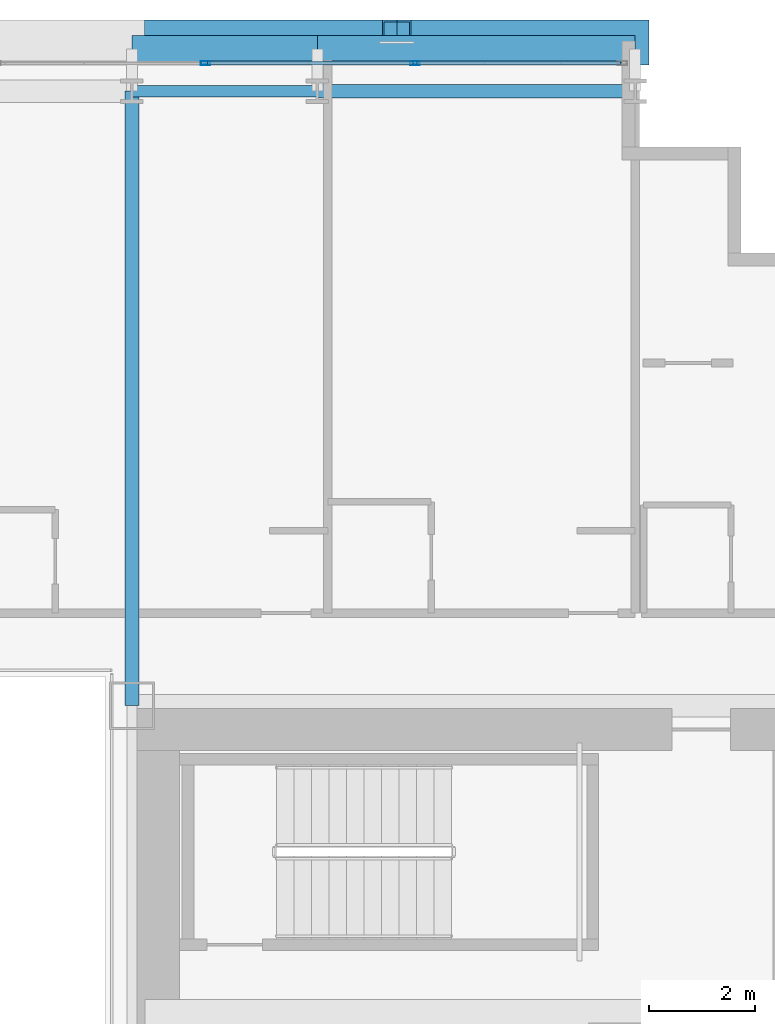
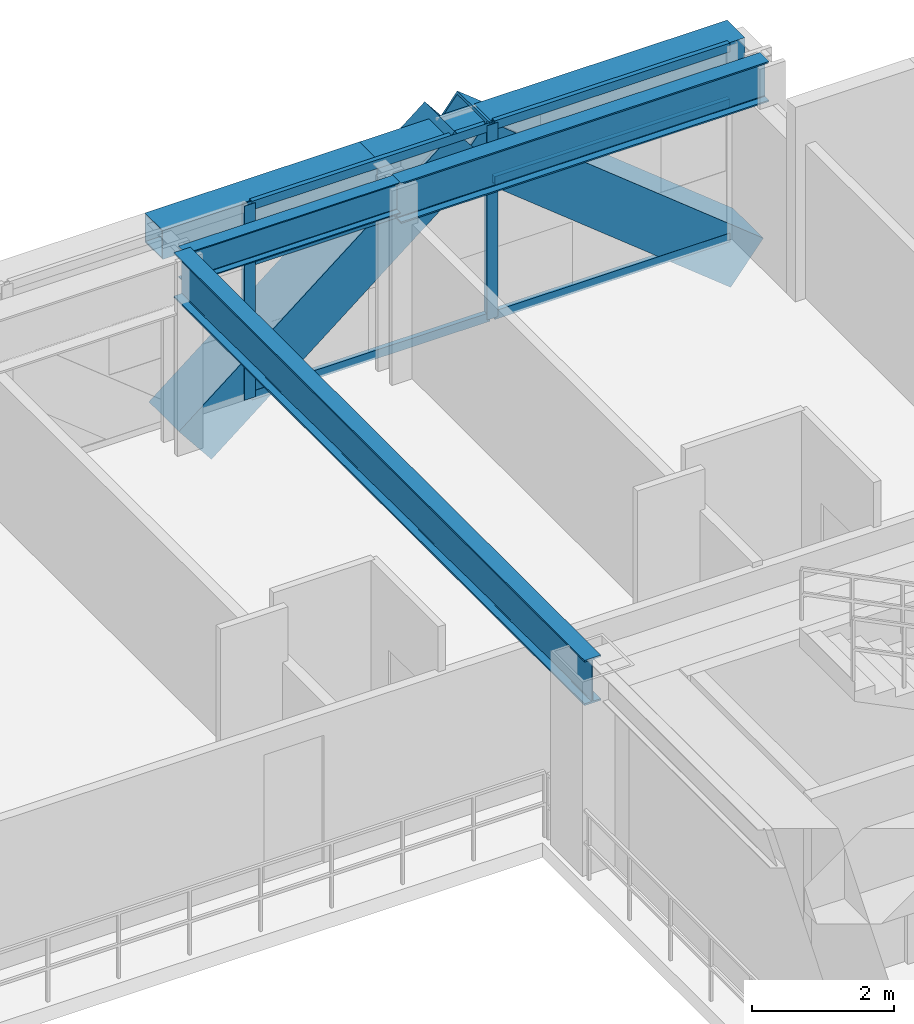
# One storey, part 21 of 35: 10 members, 5 beams, 1 element without a shape of its own.
"""IFC4 building model written with IfcOpenShell, lengths in metres."""

from ifc_helpers import new_model, si_unit, direction, frame, origin, origin_2d, place, context, subcontext, project, spatial, hollow_rectangle, i_section, extrude, source, transform, mapped, material, layer, layer_set, material_profile, profile_set, type_object, element, aggregate, save


model = new_model("IFC4")

# Units and contexts
model_context = context("Model", 3, precision=1e-05, world=origin(), true_north=direction((0.0, 1.0)))
body_context = subcontext(model_context, "Body", "Model", "MODEL_VIEW")
ifc_project = project(units=[si_unit("LENGTHUNIT", "METRE"), si_unit("AREAUNIT", "SQUARE_METRE"), si_unit("VOLUMEUNIT", "CUBIC_METRE"), si_unit("PLANEANGLEUNIT", "RADIAN"), si_unit("MASSUNIT", "GRAM", prefix="KILO")], contexts=[model_context])

# Site, building, storey
site_placement = place(None, origin())
site = spatial("IfcSite", under=ifc_project, at=site_placement, CompositionType="ELEMENT")
building_placement = place(site_placement, origin())
building = spatial("IfcBuilding", under=site, at=building_placement, Name="Ocotamira Hotel", CompositionType="ELEMENT")
storey_placement = place(building_placement, frame((0.0, 0.0, 63.60009765625)))
storey = spatial("IfcBuildingStorey", under=building, at=storey_placement, Name="L15", CompositionType="ELEMENT", Elevation=63.60009765625)

# Beams
ifc_material_1 = material(Name="Steel ASTM A992 Grade 50", Category="steel")
ifc_material_profile_1 = material_profile(ifc_material_1, i_section(OverallWidth=0.256103515625, OverallDepth=0.693115234375, WebThickness=0.014404296875, FlangeThickness=0.023681640625, FilletRadius=0.01611328125, at=origin_2d()), Name="W27X114")
ifc_profile_set_1 = profile_set([ifc_material_profile_1], Name="Steel ASTM A992 Grade 50")
beam_type_1 = type_object("IfcBeamType", Name="BM-PRIM-W27X114", PredefinedType="BEAM", material=ifc_profile_set_1)
shared_shape_1 = source(origin(), body_context, "Body", "SweptSolid", [
    extrude(i_section(OverallWidth=0.256103515625, OverallDepth=0.693115234375, WebThickness=0.014404296875, FlangeThickness=0.023681640625, FilletRadius=0.01611328125, at=origin_2d()), origin(), (0.0, 0.0, 1.0), 6.0),
])
beam_1_placement = place(storey_placement, frame((44.0, 49.050048828125, 3.00341796875), z_axis=(1.0, 0.0, 0.0), x_axis=(0.0, 1.0, 0.0)))
element("IfcBeam", 1, at=beam_1_placement, inside=storey, type_object=beam_type_1, Name="L15 Girder Y49.05 X44-50", PredefinedType="BEAM", context=body_context, shape_type="MappedRepresentation", body=[
    mapped(shared_shape_1, transform((0.0, 0.0, 0.0), scale=1.0)),
])
ifc_material_profile_2 = material_profile(ifc_material_1, i_section(OverallWidth=0.2099609375, OverallDepth=0.537109375, WebThickness=0.010986328125, FlangeThickness=0.017333984375, FilletRadius=0.012939453125, at=origin_2d()), Name="W21X68")
ifc_profile_set_2 = profile_set([ifc_material_profile_2], Name="Steel ASTM A992 Grade 50")
beam_type_2 = type_object("IfcBeamType", Name="BM-SEC-W21X68", PredefinedType="JOIST", material=ifc_profile_set_2)
shared_shape_2 = source(origin(), body_context, "Body", "SweptSolid", [
    extrude(i_section(OverallWidth=0.2099609375, OverallDepth=0.537109375, WebThickness=0.010986328125, FlangeThickness=0.017333984375, FilletRadius=0.012939453125, at=origin_2d()), origin(), (0.0, 0.0, 1.0), 3.5),
])
beam_2_placement = place(storey_placement, frame((40.5, 49.050048828125, 3.081298828125), z_axis=(1.0, 0.0, 0.0), x_axis=(0.0, 1.0, 0.0)))
element("IfcBeam", 2, at=beam_2_placement, inside=storey, type_object=beam_type_2, Name="L15 Girder Y49.05 X40.5-44", PredefinedType="JOIST", context=body_context, shape_type="MappedRepresentation", body=[
    mapped(shared_shape_2, transform((0.0, 0.0, 0.0), scale=1.0)),
])
ifc_material_profile_3 = material_profile(ifc_material_1, i_section(OverallWidth=0.26611328125, OverallDepth=0.779052734375, WebThickness=0.0166015625, FlangeThickness=0.030029296875, FilletRadius=0.01806640625, at=origin_2d()), Name="W30X148")
ifc_profile_set_3 = profile_set([ifc_material_profile_3], Name="Steel ASTM A992 Grade 50")
beam_type_3 = type_object("IfcBeamType", Name="BM-GIRD-W30X148", PredefinedType="BEAM", material=ifc_profile_set_3)
shared_shape_3 = source(origin(), body_context, "Body", "SweptSolid", [
    extrude(i_section(OverallWidth=0.26611328125, OverallDepth=0.779052734375, WebThickness=0.0166015625, FlangeThickness=0.030029296875, FilletRadius=0.01806640625, at=origin_2d()), origin(), (0.0, 0.0, 1.0), 11.60009765625),
])
beam_3_placement = place(storey_placement, frame((40.5, 37.449951171875, 2.96044921875), z_axis=(0.0, 1.0, 0.0), x_axis=(-1.0, 0.0, 0.0)))
element("IfcBeam", 3, at=beam_3_placement, inside=storey, type_object=beam_type_3, Name="L15 Beam X40.5 Y37.45-49.05", PredefinedType="BEAM", context=body_context, shape_type="MappedRepresentation", body=[
    mapped(shared_shape_3, transform((0.0, 0.0, 0.0), scale=1.0)),
])
ifc_material_2 = material(Name="Steel ASTM A500 Grade C", Category="steel")
ifc_material_profile_4 = material_profile(ifc_material_2, hollow_rectangle(XDim=0.5, YDim=0.5, WallThickness=0.02001953125, at=origin_2d()), Name="HSS500X500X20")
ifc_profile_set_4 = profile_set([ifc_material_profile_4], Name="Steel ASTM A500 Grade C")
beam_type_4 = type_object("IfcBeamType", Name="BM-SPAN-HSS500", PredefinedType="USERDEFINED", material=ifc_profile_set_4)
shared_shape_4 = source(origin(), body_context, "Body", "SweptSolid", [
    extrude(hollow_rectangle(XDim=0.5, YDim=0.5, WallThickness=0.02001953125, at=origin_2d()), origin(), (0.0, 0.0, 1.0), 6.0),
])
beam_4_placement = place(storey_placement, frame((44.0, 49.85009765625, 3.099853515625), z_axis=(1.0, 0.0, 0.0), x_axis=(0.0, 1.0, 0.0)))
element("IfcBeam", 4, at=beam_4_placement, inside=storey, type_object=beam_type_4, Name="L15 Edge Spandrel N X44-50", ObjectType="SPANDREL", PredefinedType="USERDEFINED", context=body_context, shape_type="MappedRepresentation", body=[
    mapped(shared_shape_4, transform((0.0, 0.0, 0.0), scale=1.0)),
])
shared_shape_5 = source(origin(), body_context, "Body", "SweptSolid", [
    extrude(hollow_rectangle(XDim=0.5, YDim=0.5, WallThickness=0.02001953125, at=origin_2d()), origin(), (0.0, 0.0, 1.0), 3.5),
])
beam_5_placement = place(storey_placement, frame((40.5, 49.85009765625, 3.099853515625), z_axis=(1.0, 0.0, 0.0), x_axis=(0.0, 1.0, 0.0)))
element("IfcBeam", 5, at=beam_5_placement, inside=storey, type_object=beam_type_4, Name="L15 Edge Spandrel N X40.5-44", ObjectType="SPANDREL", PredefinedType="USERDEFINED", context=body_context, shape_type="MappedRepresentation", body=[
    mapped(shared_shape_5, transform((0.0, 0.0, 0.0), scale=1.0)),
])

# Members
ifc_material_3 = material(Name="Pale-metal coated steel ASTM A913 Grade 65", Category="steel")
ifc_material_profile_5 = material_profile(ifc_material_3, hollow_rectangle(XDim=0.85009765625, YDim=0.85009765625, WallThickness=0.035888671875, at=origin_2d()), Name="BOX850X850X36")
ifc_profile_set_5 = profile_set([ifc_material_profile_5], Name="Pale-metal coated steel ASTM A913 Grade 65")
member_type_1 = type_object("IfcMemberType", Name="MEM-EXO-BOX850", PredefinedType="BRACE", material=ifc_profile_set_5)
shared_shape_6 = source(origin(), body_context, "Body", "SweptSolid", [
    extrude(hollow_rectangle(XDim=0.85009765625, YDim=0.85009765625, WallThickness=0.035888671875, at=origin_2d()), origin(), (0.0, 0.0, 1.0), 5.7626953125),
])
for number, where, z_axis, x_axis, name in (
    (6, (41.0, 49.969970703125, -0.5), (0.780881208953, 0.0, 0.624679547852), (0.0, 1.0, 0.0), "L15 Exoskeleton Diagrid N3.1"),
    (7, (50.0, 49.969970703125, -0.5), (-0.780881208953, 0.0, 0.624679547852), (0.0, -1.0, 0.0), "L15 Exoskeleton Diagrid N3.2"),
):
    element("IfcMember", number, at=place(storey_placement, frame(where, z_axis=z_axis, x_axis=x_axis)), inside=storey, type_object=member_type_1, Name=name, PredefinedType="BRACE", context=body_context, shape_type="MappedRepresentation", body=[
        mapped(shared_shape_6, transform((0.0, 0.0, 0.0), scale=1.0)),
    ])

# Curtain wall, members
ifc_material_4 = material(Name="Anodised pale-metal aluminium and solar glass", Category="aluminium")
ifc_layer = layer(ifc_material_4, 0.179931640625)
ifc_layer_set = layer_set([ifc_layer], Name="Anodised pale-metal aluminium and solar glass")
curtain_wall_type = type_object("IfcCurtainWallType", Name="CW-SYS2-Z1", PredefinedType="NOTDEFINED", material=ifc_layer_set)
curtain_wall_placement = place(storey_placement, origin())
curtain_wall = element("IfcCurtainWall", 8, at=curtain_wall_placement, inside=storey, type_object=curtain_wall_type, Name="L15 Curtain Wall CW-2 CW-L15-N", PredefinedType="NOTDEFINED")
ifc_material_5 = material(Name="Anodised pale-metal aluminium 6063-T6", Category="aluminium")
ifc_material_profile_6 = material_profile(ifc_material_5, hollow_rectangle(XDim=0.080078125, YDim=0.179931640625, WallThickness=0.006103515625, at=origin_2d()), Name="HSS180X80X6")
ifc_profile_set_6 = profile_set([ifc_material_profile_6], Name="Anodised pale-metal aluminium 6063-T6")
member_type_2 = type_object("IfcMemberType", Name="CWM-180X75", PredefinedType="MULLION", material=ifc_profile_set_6)
shared_shape_7 = source(origin(), body_context, "Body", "SweptSolid", [
    extrude(hollow_rectangle(XDim=0.080078125, YDim=0.179931640625, WallThickness=0.006103515625, at=origin_2d()), origin(), (0.0, 0.0, 1.0), 3.349853515625),
])
member_1_placement = place(storey_placement, frame((41.888916015625, 49.580078125, 0.0), z_axis=(0.0, 0.0, 1.0), x_axis=(0.0, 1.0, 0.0)))
member_1 = element("IfcMember", 9, at=member_1_placement, type_object=member_type_2, Name="CW-2 mullion 8", PredefinedType="MULLION", context=body_context, shape_type="MappedRepresentation", body=[
    mapped(shared_shape_7, transform((0.0, 0.0, 0.0), scale=1.0)),
])
member_2_placement = place(storey_placement, frame((45.844482421875, 49.580078125, 0.0), z_axis=(0.0, 0.0, 1.0), x_axis=(0.0, 1.0, 0.0)))
member_2 = element("IfcMember", 10, at=member_2_placement, type_object=member_type_2, Name="CW-2 mullion 9", PredefinedType="MULLION", context=body_context, shape_type="MappedRepresentation", body=[
    mapped(shared_shape_7, transform((0.0, 0.0, 0.0), scale=1.0)),
])
ifc_material_profile_7 = material_profile(ifc_material_5, hollow_rectangle(XDim=0.074951171875, YDim=0.14990234375, WallThickness=0.006103515625, at=origin_2d()), Name="HSS150X75X6")
ifc_profile_set_7 = profile_set([ifc_material_profile_7], Name="Anodised pale-metal aluminium 6063-T6")
member_type_3 = type_object("IfcMemberType", Name="CWT-150X75", PredefinedType="USERDEFINED", material=ifc_profile_set_7)
shared_shape_8 = source(origin(), body_context, "Body", "SweptSolid", [
    extrude(hollow_rectangle(XDim=0.074951171875, YDim=0.14990234375, WallThickness=0.006103515625, at=origin_2d()), origin(), (0.0, 0.0, 1.0), 3.83544921875),
])
member_3_placement = place(storey_placement, frame((45.884521484375, 49.580078125, 0.037353515625), z_axis=(1.0, 0.0, 0.0), x_axis=(0.0, 1.0, 0.0)))
member_3 = element("IfcMember", 11, at=member_3_placement, type_object=member_type_3, Name="CW-2 transom 9.1", ObjectType="TRANSOM", PredefinedType="USERDEFINED", context=body_context, shape_type="MappedRepresentation", body=[
    mapped(shared_shape_8, transform((0.0, 0.0, 0.0), scale=1.0)),
])
member_4_placement = place(storey_placement, frame((45.884521484375, 49.580078125, 2.349853515625), z_axis=(1.0, 0.0, 0.0), x_axis=(0.0, 1.0, 0.0)))
member_4 = element("IfcMember", 12, at=member_4_placement, type_object=member_type_3, Name="CW-2 transom 9.2", ObjectType="TRANSOM", PredefinedType="USERDEFINED", context=body_context, shape_type="MappedRepresentation", body=[
    mapped(shared_shape_8, transform((0.0, 0.0, 0.0), scale=1.0)),
])
member_5_placement = place(storey_placement, frame((45.884521484375, 49.580078125, 3.3125), z_axis=(1.0, 0.0, 0.0), x_axis=(0.0, 1.0, 0.0)))
member_5 = element("IfcMember", 13, at=member_5_placement, type_object=member_type_3, Name="CW-2 transom 9.3", ObjectType="TRANSOM", PredefinedType="USERDEFINED", context=body_context, shape_type="MappedRepresentation", body=[
    mapped(shared_shape_8, transform((0.0, 0.0, 0.0), scale=1.0)),
])
shared_shape_9 = source(origin(), body_context, "Body", "SweptSolid", [
    extrude(hollow_rectangle(XDim=0.074951171875, YDim=0.14990234375, WallThickness=0.006103515625, at=origin_2d()), origin(), (0.0, 0.0, 1.0), 3.87548828125),
])
member_6_placement = place(storey_placement, frame((41.928955078125, 49.580078125, 0.037353515625), z_axis=(1.0, 0.0, 0.0), x_axis=(0.0, 1.0, 0.0)))
member_6 = element("IfcMember", 14, at=member_6_placement, type_object=member_type_3, Name="CW-2 transom 8.1", ObjectType="TRANSOM", PredefinedType="USERDEFINED", context=body_context, shape_type="MappedRepresentation", body=[
    mapped(shared_shape_9, transform((0.0, 0.0, 0.0), scale=1.0)),
])
member_7_placement = place(storey_placement, frame((41.928955078125, 49.580078125, 2.349853515625), z_axis=(1.0, 0.0, 0.0), x_axis=(0.0, 1.0, 0.0)))
member_7 = element("IfcMember", 15, at=member_7_placement, type_object=member_type_3, Name="CW-2 transom 8.2", ObjectType="TRANSOM", PredefinedType="USERDEFINED", context=body_context, shape_type="MappedRepresentation", body=[
    mapped(shared_shape_9, transform((0.0, 0.0, 0.0), scale=1.0)),
])
member_8_placement = place(storey_placement, frame((41.928955078125, 49.580078125, 3.3125), z_axis=(1.0, 0.0, 0.0), x_axis=(0.0, 1.0, 0.0)))
member_8 = element("IfcMember", 16, at=member_8_placement, type_object=member_type_3, Name="CW-2 transom 8.3", ObjectType="TRANSOM", PredefinedType="USERDEFINED", context=body_context, shape_type="MappedRepresentation", body=[
    mapped(shared_shape_9, transform((0.0, 0.0, 0.0), scale=1.0)),
])
aggregate(curtain_wall, [member_1, member_2, member_6, member_7, member_8, member_3, member_4, member_5])

save(model, "model.ifc")
